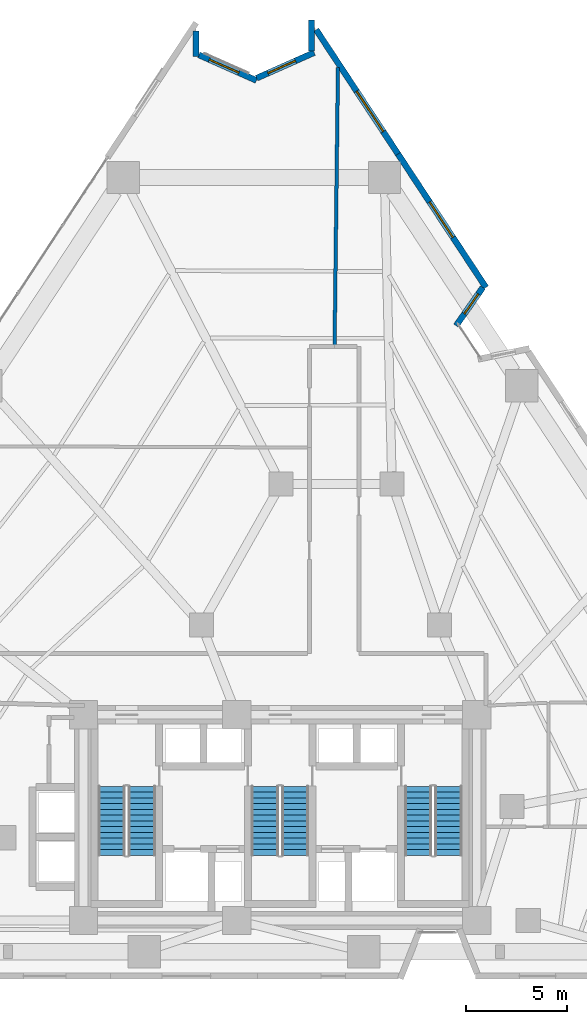
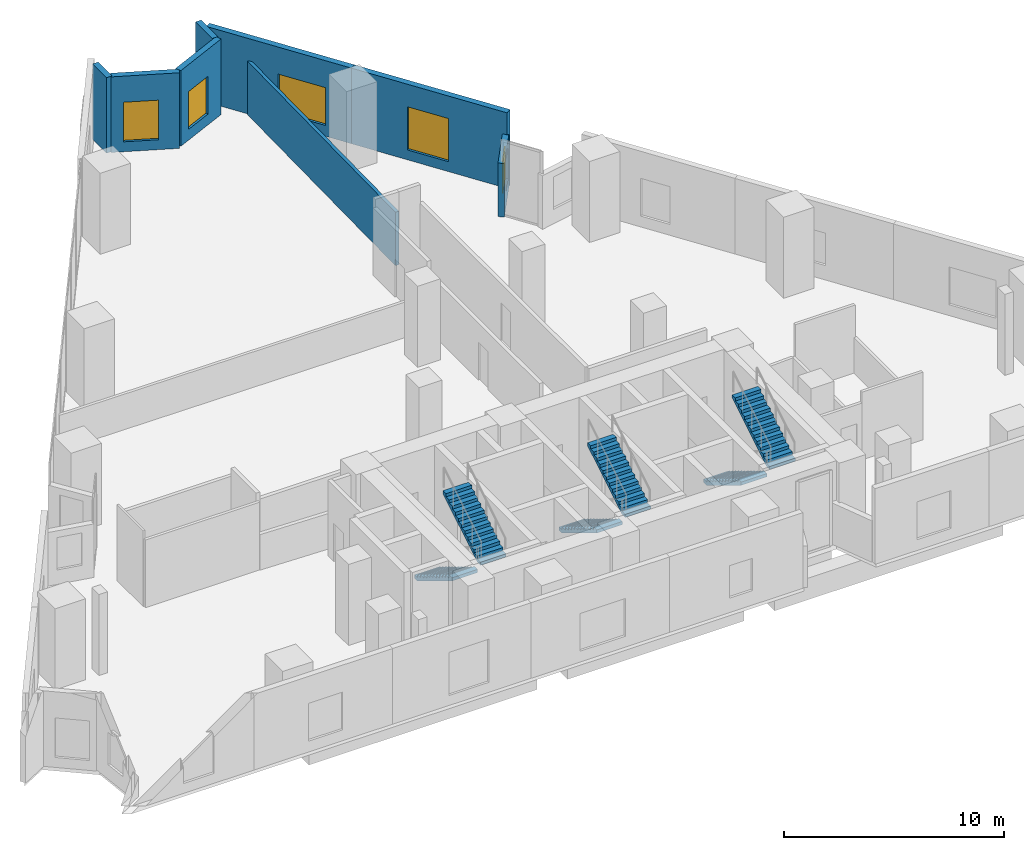
# One storey, part 9 of 11: 8 walls, 6 stair flights, 5 windows, 5 openings, 3 elements without a shape of their own.
"""IFC4 building model written with IfcOpenShell, lengths in metres."""

from ifc_helpers import new_model, si_unit, direction, frame, frame_2d, origin, place, context, subcontext, project, spatial, polyline, rectangle, outline, extrude, material, layer, layer_set, type_object, element, fill, aggregate, save


model = new_model("IFC4")

# Units and contexts
model_context = context("Model", 3, precision=1e-05, world=origin(), true_north=direction((0.0, 1.0)))
body_context = subcontext(model_context, "Body", "Model", "MODEL_VIEW")
ifc_project = project(units=[si_unit("LENGTHUNIT", "METRE"), si_unit("AREAUNIT", "SQUARE_METRE"), si_unit("VOLUMEUNIT", "CUBIC_METRE"), si_unit("PLANEANGLEUNIT", "RADIAN"), si_unit("MASSUNIT", "GRAM", prefix="KILO")], contexts=[model_context])

# Site, building, storey
site_placement = place(None, origin())
site = spatial("IfcSite", under=ifc_project, at=site_placement, CompositionType="ELEMENT")
building_placement = place(site_placement, origin())
building = spatial("IfcBuilding", under=site, at=building_placement, Name="Almagre Mirador Tower", CompositionType="ELEMENT")
storey_placement = place(building_placement, frame((0.0, 0.0, 21.89990234375)))
storey = spatial("IfcBuildingStorey", under=building, at=storey_placement, Name="L04", CompositionType="ELEMENT", Elevation=21.89990234375)

# Wall
ifc_material_1 = material(Name="Precast concrete C50/60", Category="concrete")
ifc_layer_1 = layer(ifc_material_1, 0.300048828125)
ifc_layer_set_1 = layer_set([ifc_layer_1], Name="Precast concrete C50/60")
wall_type_1 = type_object("IfcWallType", Name="WAL-EXT-300", PredefinedType="SOLIDWALL", material=ifc_layer_set_1)
wall_1_placement = place(storey_placement, frame((33.138916015625, 48.657958984375, 0.0), z_axis=(0.0, 0.0, 1.0), x_axis=(0.0, -1.0, 0.0)))
element("IfcWall", 1, at=wall_1_placement, inside=storey, type_object=wall_type_1, Name="L04 expressed almagre precast frame wall 04", PredefinedType="SOLIDWALL", context=body_context, shape_type="SweptSolid", body=[
    extrude(rectangle(XDim=1.27001953125, YDim=0.300048828125, at=frame_2d((0.635009765625, 0.0))), origin(), (0.0, 0.0, 1.0), 4.2001953125),
])

# Wall, opening, window
wall_2_placement = place(storey_placement, frame((33.26708984375, 47.47119140625, 0.0), z_axis=(0.0, 0.0, 1.0), x_axis=(0.913753658291, -0.40626869429, 0.0)))
wall_2 = element("IfcWall", 2, at=wall_2_placement, inside=storey, type_object=wall_type_1, Name="L04 expressed almagre precast frame wall 05", PredefinedType="SOLIDWALL", context=body_context, shape_type="SweptSolid", body=[
    extrude(rectangle(XDim=3.130859375, YDim=0.300048828125, at=frame_2d((1.5654296875, 0.0))), origin(), (0.0, 0.0, 1.0), 4.2001953125),
])
opening_1_placement = place(wall_2_placement, frame((0.570068359375, 0.0, 0.550048828125)))
opening_1 = element("IfcOpeningElement", 3, at=opening_1_placement, cuts=wall_2, Name="Opening WN-06", PredefinedType="OPENING", context=body_context, shape_type="SweptSolid", body=[
    extrude(rectangle(XDim=1.60009765625, YDim=2.199951171875, at=frame_2d((0.800048828125, 1.10009765625))), frame((0.0, 0.159902, 0.0), z_axis=(0.0, -1.0, 0.0), x_axis=(1.0, 0.0, 0.0)), (0.0, 0.0, 1.0), 0.320049),
])
ifc_material_2 = material(Name="Dark solar-control laminated hurricane glass", Category="glass")
window_type_1 = type_object("IfcWindowType", Name="WIN-1600X2200", PartitioningType="DOUBLE_PANEL_VERTICAL", PredefinedType="WINDOW", material=ifc_material_2)
window_1_placement = place(opening_1_placement, origin())
window_1 = element("IfcWindow", 4, at=window_1_placement, inside=storey, type_object=window_type_1, Name="L04 recessed hurricane window L04-GAL-8", OverallHeight=2.199951171875, OverallWidth=1.60009765625, PartitioningType="SINGLE_PANEL", PredefinedType="WINDOW", context=body_context, shape_type="SweptSolid", body=[
    extrude(rectangle(XDim=1.60009765625, YDim=2.199951171875, at=frame_2d((0.800048828125, 1.10009765625))), frame((0.0, 0.030029296875, 0.0), z_axis=(0.0, -1.0, 0.0), x_axis=(1.0, 0.0, 0.0)), (0.0, 0.0, 1.0), 0.06005859375),
])
fill(opening_1, window_1)

wall_3_placement = place(storey_placement, frame((36.13720703125, 46.31689453125, 0.0), z_axis=(0.0, 0.0, 1.0), x_axis=(0.913740568099, 0.406298134638, 0.0)))
wall_3 = element("IfcWall", 5, at=wall_3_placement, inside=storey, type_object=wall_type_1, Name="L04 expressed almagre precast frame wall 06", PredefinedType="SOLIDWALL", context=body_context, shape_type="SweptSolid", body=[
    extrude(rectangle(XDim=3.12109375, YDim=0.300048828125, at=frame_2d((1.560546875, 0.0))), origin(), (0.0, 0.0, 1.0), 4.2001953125),
])
opening_2_placement = place(wall_3_placement, frame((0.610107421875, 0.0, 0.60009765625)))
opening_2 = element("IfcOpeningElement", 6, at=opening_2_placement, cuts=wall_3, Name="Opening WN-03", PredefinedType="OPENING", context=body_context, shape_type="SweptSolid", body=[
    extrude(rectangle(XDim=1.5, YDim=2.10009765625, at=frame_2d((0.75, 1.050048828125))), frame((0.0, 0.159902, 0.0), z_axis=(0.0, -1.0, 0.0), x_axis=(1.0, 0.0, 0.0)), (0.0, 0.0, 1.0), 0.320049),
])
ifc_material_3 = material(Name="Dark solar-control laminated hurricane glass", Category="glass")
window_type_2 = type_object("IfcWindowType", Name="WIN-1500X2100", PartitioningType="DOUBLE_PANEL_VERTICAL", PredefinedType="WINDOW", material=ifc_material_3)
window_2_placement = place(opening_2_placement, origin())
window_2 = element("IfcWindow", 7, at=window_2_placement, inside=storey, type_object=window_type_2, Name="L04 recessed hurricane window L04-GAL-8", OverallHeight=2.10009765625, OverallWidth=1.5, PartitioningType="SINGLE_PANEL", PredefinedType="WINDOW", context=body_context, shape_type="SweptSolid", body=[
    extrude(rectangle(XDim=1.5, YDim=2.10009765625, at=frame_2d((0.75, 1.050048828125))), frame((0.0, 0.030029296875, 0.0), z_axis=(0.0, -1.0, 0.0), x_axis=(1.0, 0.0, 0.0)), (0.0, 0.0, 1.0), 0.06005859375),
])
fill(opening_2, window_2)

# Wall
wall_4_placement = place(storey_placement, frame((38.861083984375, 47.673095703125, 0.0), z_axis=(0.0, 0.0, 1.0), x_axis=(0.0, 1.0, 0.0)))
element("IfcWall", 8, at=wall_4_placement, inside=storey, type_object=wall_type_1, Name="L04 expressed almagre precast frame wall 07", PredefinedType="SOLIDWALL", context=body_context, shape_type="SweptSolid", body=[
    extrude(rectangle(XDim=1.52490234375, YDim=0.300048828125, at=frame_2d((0.762451171875, 0.0))), origin(), (0.0, 0.0, 1.0), 4.2001953125),
])

# Wall, opening, window
wall_5_placement = place(storey_placement, frame((39.086669921875, 48.715576171875, 0.0), z_axis=(0.0, 0.0, 1.0), x_axis=(0.55019380206, -0.835036993297, 0.0)))
wall_5 = element("IfcWall", 9, at=wall_5_placement, inside=storey, type_object=wall_type_1, Name="L04 expressed almagre precast frame wall 08", PredefinedType="SOLIDWALL", context=body_context, shape_type="SweptSolid", body=[
    extrude(rectangle(XDim=7.377197265625, YDim=0.300048828125, at=frame_2d((3.6884765625, 0.0))), origin(), (0.0, 0.0, 1.0), 4.2001953125),
])
opening_3_placement = place(wall_5_placement, frame((3.64990234375, 0.0, 0.60009765625)))
opening_3 = element("IfcOpeningElement", 10, at=opening_3_placement, cuts=wall_5, Name="Opening WN-02", PredefinedType="OPENING", context=body_context, shape_type="SweptSolid", body=[
    extrude(rectangle(XDim=2.39990234375, YDim=2.10009765625, at=frame_2d((1.199951171875, 1.050048828125))), frame((0.0, 0.159902, 0.0), z_axis=(0.0, -1.0, 0.0), x_axis=(1.0, 0.0, 0.0)), (0.0, 0.0, 1.0), 0.320049),
])
ifc_material_4 = material(Name="Dark solar-control laminated hurricane glass", Category="glass")
window_type_3 = type_object("IfcWindowType", Name="WIN-2400X2100", PartitioningType="TRIPLE_PANEL_VERTICAL", PredefinedType="WINDOW", material=ifc_material_4)
window_3_placement = place(opening_3_placement, origin())
window_3 = element("IfcWindow", 11, at=window_3_placement, inside=storey, type_object=window_type_3, Name="L04 recessed hurricane window L04-WSH-7", OverallHeight=2.10009765625, OverallWidth=2.39990234375, PartitioningType="SINGLE_PANEL", PredefinedType="WINDOW", context=body_context, shape_type="SweptSolid", body=[
    extrude(rectangle(XDim=2.39990234375, YDim=2.10009765625, at=frame_2d((1.199951171875, 1.050048828125))), frame((0.0, 0.030029296875, 0.0), z_axis=(0.0, -1.0, 0.0), x_axis=(1.0, 0.0, 0.0)), (0.0, 0.0, 1.0), 0.06005859375),
])
fill(opening_3, window_3)

wall_6_placement = place(storey_placement, frame((43.1455078125, 42.555419921875, 0.0), z_axis=(0.0, 0.0, 1.0), x_axis=(0.550207466479, -0.835027989849, 0.0)))
wall_6 = element("IfcWall", 12, at=wall_6_placement, inside=storey, type_object=wall_type_1, Name="L04 expressed almagre precast frame wall 09", PredefinedType="SOLIDWALL", context=body_context, shape_type="SweptSolid", body=[
    extrude(rectangle(XDim=7.92724609375, YDim=0.300048828125, at=frame_2d((3.963623046875, 0.0))), origin(), (0.0, 0.0, 1.0), 4.2001953125),
])
opening_4_placement = place(wall_6_placement, frame((2.85009765625, 0.0, 0.550048828125)))
opening_4 = element("IfcOpeningElement", 13, at=opening_4_placement, cuts=wall_6, Name="Opening WN-05", PredefinedType="OPENING", context=body_context, shape_type="SweptSolid", body=[
    extrude(rectangle(XDim=2.10009765625, YDim=2.39990234375, at=frame_2d((1.050048828125, 1.199951171875))), frame((0.0, 0.159902, 0.0), z_axis=(0.0, -1.0, 0.0), x_axis=(1.0, 0.0, 0.0)), (0.0, 0.0, 1.0), 0.320049),
])
ifc_material_5 = material(Name="Dark solar-control laminated hurricane glass", Category="glass")
window_type_4 = type_object("IfcWindowType", Name="WIN-2100X2400", PartitioningType="DOUBLE_PANEL_VERTICAL", PredefinedType="WINDOW", material=ifc_material_5)
window_4_placement = place(opening_4_placement, origin())
window_4 = element("IfcWindow", 14, at=window_4_placement, inside=storey, type_object=window_type_4, Name="L04 recessed hurricane window L04-WSH-7", OverallHeight=2.39990234375, OverallWidth=2.10009765625, PartitioningType="SINGLE_PANEL", PredefinedType="WINDOW", context=body_context, shape_type="SweptSolid", body=[
    extrude(rectangle(XDim=2.10009765625, YDim=2.39990234375, at=frame_2d((1.050048828125, 1.199951171875))), frame((0.0, 0.030029296875, 0.0), z_axis=(0.0, -1.0, 0.0), x_axis=(1.0, 0.0, 0.0)), (0.0, 0.0, 1.0), 0.06005859375),
])
fill(opening_4, window_4)

wall_7_placement = place(storey_placement, frame((47.349853515625, 35.938232421875, 0.0), z_axis=(0.0, 0.0, 1.0), x_axis=(-0.57261227679, -0.819826311159, 0.0)))
wall_7 = element("IfcWall", 15, at=wall_7_placement, inside=storey, type_object=wall_type_1, Name="L04 expressed almagre precast frame wall 10", PredefinedType="SOLIDWALL", context=body_context, shape_type="SweptSolid", body=[
    extrude(rectangle(XDim=2.31396484375, YDim=0.300048828125, at=frame_2d((1.156982421875, 0.0))), origin(), (0.0, 0.0, 1.0), 2.97509765625),
])
opening_5_placement = place(wall_7_placement, frame((0.39501953125, 0.0, 0.800048828125)))
opening_5 = element("IfcOpeningElement", 16, at=opening_5_placement, cuts=wall_7, Name="Opening WN-04", PredefinedType="OPENING", context=body_context, shape_type="SweptSolid", body=[
    extrude(rectangle(XDim=1.199951171875, YDim=1.800048828125, at=frame_2d((0.60009765625, 0.89990234375))), frame((0.0, 0.159902, 0.0), z_axis=(0.0, -1.0, 0.0), x_axis=(1.0, 0.0, 0.0)), (0.0, 0.0, 1.0), 0.320049),
])
ifc_material_6 = material(Name="Dark solar-control laminated hurricane glass", Category="glass")
window_type_5 = type_object("IfcWindowType", Name="WIN-1200X1800", PartitioningType="SINGLE_PANEL", PredefinedType="WINDOW", material=ifc_material_6)
window_5_placement = place(opening_5_placement, origin())
window_5 = element("IfcWindow", 17, at=window_5_placement, inside=storey, type_object=window_type_5, Name="L04 recessed hurricane window L04-WSH-7", OverallHeight=1.800048828125, OverallWidth=1.199951171875, PartitioningType="SINGLE_PANEL", PredefinedType="WINDOW", context=body_context, shape_type="SweptSolid", body=[
    extrude(rectangle(XDim=1.199951171875, YDim=1.800048828125, at=frame_2d((0.60009765625, 0.89990234375))), frame((0.0, 0.030029296875, 0.0), z_axis=(0.0, -1.0, 0.0), x_axis=(1.0, 0.0, 0.0)), (0.0, 0.0, 1.0), 0.06005859375),
])
fill(opening_5, window_5)

# Wall
ifc_material_7 = material(Name="Gypsum acoustic stud partition", Category="other")
ifc_layer_2 = layer(ifc_material_7, 0.175048828125)
ifc_layer_set_2 = layer_set([ifc_layer_2], Name="Gypsum acoustic stud partition")
wall_type_2 = type_object("IfcWallType", Name="WAL-PRT-175-AC", PredefinedType="PARTITIONING", material=ifc_layer_set_2)
wall_8_placement = place(storey_placement, frame((40.1669921875, 46.8369140625, 0.0), z_axis=(0.0, 0.0, 1.0), x_axis=(-0.012089018535, -0.999926925145, 0.0)))
element("IfcWall", 18, at=wall_8_placement, inside=storey, type_object=wall_type_2, Name="L04 interior partition 027", PredefinedType="PARTITIONING", context=body_context, shape_type="SweptSolid", body=[
    extrude(rectangle(XDim=13.7529296875, YDim=0.175048828125, at=frame_2d((6.87646484375, 0.0))), origin(), (0.0, 0.0, 1.0), 2.97021484375),
])

# Stair, stair flights
ifc_material_8 = material(Name="Concrete C45/55", Category="concrete")
stair_type = type_object("IfcStairType", Name="STR-DL-4500", PredefinedType="HALF_TURN_STAIR", material=ifc_material_8)
stair_1_placement = place(storey_placement, origin())
stair_1 = element("IfcStair", 19, at=stair_1_placement, inside=storey, type_object=stair_type, Name="L04 Protected exit stair ST-1", PredefinedType="HALF_TURN_STAIR")
ifc_material_9 = material(Name="Concrete C45/55", Category="concrete")
stair_flight_type = type_object("IfcStairFlightType", Name="FLT-DL-4500", PredefinedType="STRAIGHT", material=ifc_material_9)
stair_flight_1_placement = place(storey_placement, frame((28.949951171875, 11.199951171875, 0.0), z_axis=(0.0, 0.0, 1.0), x_axis=(0.0, -1.0, 0.0)))
stair_flight_1 = element("IfcStairFlight", 20, at=stair_flight_1_placement, type_object=stair_flight_type, Name="ST-1 flight 1", NumberOfRisers=13, NumberOfTreads=12, PredefinedType="STRAIGHT", RiserHeight=0.173076923, TreadLength=0.285, context=body_context, shape_type="SweptSolid", body=[
    extrude(outline(polyline([(0.0, 0.0), (0.0, 0.173095703125), (0.284912109375, 0.173095703125), (0.284912109375, 0.34619140625), (0.570068359375, 0.34619140625), (0.570068359375, 0.519287109375), (0.85498046875, 0.519287109375), (0.85498046875, 0.6923828125), (1.139892578125, 0.6923828125), (1.139892578125, 0.865478515625), (1.425048828125, 0.865478515625), (1.425048828125, 1.03857421875), (1.7099609375, 1.03857421875), (1.7099609375, 1.21142578125), (1.9951171875, 1.21142578125), (1.9951171875, 1.384521484375), (2.280029296875, 1.384521484375), (2.280029296875, 1.5576171875), (2.56494140625, 1.5576171875), (2.56494140625, 1.730712890625), (2.85009765625, 1.730712890625), (2.85009765625, 1.90380859375), (3.135009765625, 1.90380859375), (3.135009765625, 2.076904296875), (3.419921875, 2.076904296875), (3.419921875, 2.25), (3.419921875, 1.901611328125), (0.288818359375, 0.0), (0.0, 0.0)])), frame((0.0, 0.675048828125, 0.0), z_axis=(0.0, -1.0, 0.0), x_axis=(1.0, 0.0, 0.0)), (0.0, 0.0, 1.0), 1.35009765625),
])
stair_flight_2_placement = place(storey_placement, frame((30.449951171875, 7.780029296875, 2.25), z_axis=(0.0, 0.0, 1.0), x_axis=(0.0, 1.0, 0.0)))
stair_flight_2 = element("IfcStairFlight", 21, at=stair_flight_2_placement, type_object=stair_flight_type, Name="ST-1 flight 2", NumberOfRisers=13, NumberOfTreads=12, PredefinedType="STRAIGHT", RiserHeight=0.173076923, TreadLength=0.285, context=body_context, shape_type="SweptSolid", body=[
    extrude(outline(polyline([(0.0, 0.0), (0.0, 0.173095703125), (0.284912109375, 0.173095703125), (0.284912109375, 0.34619140625), (0.570068359375, 0.34619140625), (0.570068359375, 0.519287109375), (0.85498046875, 0.519287109375), (0.85498046875, 0.6923828125), (1.139892578125, 0.6923828125), (1.139892578125, 0.865478515625), (1.425048828125, 0.865478515625), (1.425048828125, 1.03857421875), (1.7099609375, 1.03857421875), (1.7099609375, 1.21142578125), (1.9951171875, 1.21142578125), (1.9951171875, 1.384521484375), (2.280029296875, 1.384521484375), (2.280029296875, 1.5576171875), (2.56494140625, 1.5576171875), (2.56494140625, 1.730712890625), (2.85009765625, 1.730712890625), (2.85009765625, 1.90380859375), (3.135009765625, 1.90380859375), (3.135009765625, 2.076904296875), (3.419921875, 2.076904296875), (3.419921875, 2.25), (3.419921875, 1.901611328125), (0.288818359375, 0.0), (0.0, 0.0)])), frame((0.0, 0.675048828125, 0.0), z_axis=(0.0, -1.0, 0.0), x_axis=(1.0, 0.0, 0.0)), (0.0, 0.0, 1.0), 1.35009765625),
])
aggregate(stair_1, [stair_flight_1, stair_flight_2])

stair_2_placement = place(storey_placement, origin())
stair_2 = element("IfcStair", 22, at=stair_2_placement, inside=storey, type_object=stair_type, Name="L04 Protected exit stair ST-2", PredefinedType="HALF_TURN_STAIR")
stair_flight_3_placement = place(storey_placement, frame((36.550048828125, 11.199951171875, 0.0), z_axis=(0.0, 0.0, 1.0), x_axis=(0.0, -1.0, 0.0)))
stair_flight_3 = element("IfcStairFlight", 23, at=stair_flight_3_placement, type_object=stair_flight_type, Name="ST-2 flight 1", NumberOfRisers=13, NumberOfTreads=12, PredefinedType="STRAIGHT", RiserHeight=0.173076923, TreadLength=0.285, context=body_context, shape_type="SweptSolid", body=[
    extrude(outline(polyline([(0.0, 0.0), (0.0, 0.173095703125), (0.284912109375, 0.173095703125), (0.284912109375, 0.34619140625), (0.570068359375, 0.34619140625), (0.570068359375, 0.519287109375), (0.85498046875, 0.519287109375), (0.85498046875, 0.6923828125), (1.139892578125, 0.6923828125), (1.139892578125, 0.865478515625), (1.425048828125, 0.865478515625), (1.425048828125, 1.03857421875), (1.7099609375, 1.03857421875), (1.7099609375, 1.21142578125), (1.9951171875, 1.21142578125), (1.9951171875, 1.384521484375), (2.280029296875, 1.384521484375), (2.280029296875, 1.5576171875), (2.56494140625, 1.5576171875), (2.56494140625, 1.730712890625), (2.85009765625, 1.730712890625), (2.85009765625, 1.90380859375), (3.135009765625, 1.90380859375), (3.135009765625, 2.076904296875), (3.419921875, 2.076904296875), (3.419921875, 2.25), (3.419921875, 1.901611328125), (0.288818359375, 0.0), (0.0, 0.0)])), frame((0.0, 0.675048828125, 0.0), z_axis=(0.0, -1.0, 0.0), x_axis=(1.0, 0.0, 0.0)), (0.0, 0.0, 1.0), 1.35009765625),
])
stair_flight_4_placement = place(storey_placement, frame((38.050048828125, 7.780029296875, 2.25), z_axis=(0.0, 0.0, 1.0), x_axis=(0.0, 1.0, 0.0)))
stair_flight_4 = element("IfcStairFlight", 24, at=stair_flight_4_placement, type_object=stair_flight_type, Name="ST-2 flight 2", NumberOfRisers=13, NumberOfTreads=12, PredefinedType="STRAIGHT", RiserHeight=0.173076923, TreadLength=0.285, context=body_context, shape_type="SweptSolid", body=[
    extrude(outline(polyline([(0.0, 0.0), (0.0, 0.173095703125), (0.284912109375, 0.173095703125), (0.284912109375, 0.34619140625), (0.570068359375, 0.34619140625), (0.570068359375, 0.519287109375), (0.85498046875, 0.519287109375), (0.85498046875, 0.6923828125), (1.139892578125, 0.6923828125), (1.139892578125, 0.865478515625), (1.425048828125, 0.865478515625), (1.425048828125, 1.03857421875), (1.7099609375, 1.03857421875), (1.7099609375, 1.21142578125), (1.9951171875, 1.21142578125), (1.9951171875, 1.384521484375), (2.280029296875, 1.384521484375), (2.280029296875, 1.5576171875), (2.56494140625, 1.5576171875), (2.56494140625, 1.730712890625), (2.85009765625, 1.730712890625), (2.85009765625, 1.90380859375), (3.135009765625, 1.90380859375), (3.135009765625, 2.076904296875), (3.419921875, 2.076904296875), (3.419921875, 2.25), (3.419921875, 1.901611328125), (0.288818359375, 0.0), (0.0, 0.0)])), frame((0.0, 0.675048828125, 0.0), z_axis=(0.0, -1.0, 0.0), x_axis=(1.0, 0.0, 0.0)), (0.0, 0.0, 1.0), 1.35009765625),
])
aggregate(stair_2, [stair_flight_3, stair_flight_4])

stair_3_placement = place(storey_placement, origin())
stair_3 = element("IfcStair", 25, at=stair_3_placement, inside=storey, type_object=stair_type, Name="L04 Protected exit stair ST-3", PredefinedType="HALF_TURN_STAIR")
stair_flight_5_placement = place(storey_placement, frame((44.14990234375, 11.199951171875, 0.0), z_axis=(0.0, 0.0, 1.0), x_axis=(0.0, -1.0, 0.0)))
stair_flight_5 = element("IfcStairFlight", 26, at=stair_flight_5_placement, type_object=stair_flight_type, Name="ST-3 flight 1", NumberOfRisers=13, NumberOfTreads=12, PredefinedType="STRAIGHT", RiserHeight=0.173076923, TreadLength=0.285, context=body_context, shape_type="SweptSolid", body=[
    extrude(outline(polyline([(0.0, 0.0), (0.0, 0.173095703125), (0.284912109375, 0.173095703125), (0.284912109375, 0.34619140625), (0.570068359375, 0.34619140625), (0.570068359375, 0.519287109375), (0.85498046875, 0.519287109375), (0.85498046875, 0.6923828125), (1.139892578125, 0.6923828125), (1.139892578125, 0.865478515625), (1.425048828125, 0.865478515625), (1.425048828125, 1.03857421875), (1.7099609375, 1.03857421875), (1.7099609375, 1.21142578125), (1.9951171875, 1.21142578125), (1.9951171875, 1.384521484375), (2.280029296875, 1.384521484375), (2.280029296875, 1.5576171875), (2.56494140625, 1.5576171875), (2.56494140625, 1.730712890625), (2.85009765625, 1.730712890625), (2.85009765625, 1.90380859375), (3.135009765625, 1.90380859375), (3.135009765625, 2.076904296875), (3.419921875, 2.076904296875), (3.419921875, 2.25), (3.419921875, 1.901611328125), (0.288818359375, 0.0), (0.0, 0.0)])), frame((0.0, 0.675048828125, 0.0), z_axis=(0.0, -1.0, 0.0), x_axis=(1.0, 0.0, 0.0)), (0.0, 0.0, 1.0), 1.35009765625),
])
stair_flight_6_placement = place(storey_placement, frame((45.64990234375, 7.780029296875, 2.25), z_axis=(0.0, 0.0, 1.0), x_axis=(0.0, 1.0, 0.0)))
stair_flight_6 = element("IfcStairFlight", 27, at=stair_flight_6_placement, type_object=stair_flight_type, Name="ST-3 flight 2", NumberOfRisers=13, NumberOfTreads=12, PredefinedType="STRAIGHT", RiserHeight=0.173076923, TreadLength=0.285, context=body_context, shape_type="SweptSolid", body=[
    extrude(outline(polyline([(0.0, 0.0), (0.0, 0.173095703125), (0.284912109375, 0.173095703125), (0.284912109375, 0.34619140625), (0.570068359375, 0.34619140625), (0.570068359375, 0.519287109375), (0.85498046875, 0.519287109375), (0.85498046875, 0.6923828125), (1.139892578125, 0.6923828125), (1.139892578125, 0.865478515625), (1.425048828125, 0.865478515625), (1.425048828125, 1.03857421875), (1.7099609375, 1.03857421875), (1.7099609375, 1.21142578125), (1.9951171875, 1.21142578125), (1.9951171875, 1.384521484375), (2.280029296875, 1.384521484375), (2.280029296875, 1.5576171875), (2.56494140625, 1.5576171875), (2.56494140625, 1.730712890625), (2.85009765625, 1.730712890625), (2.85009765625, 1.90380859375), (3.135009765625, 1.90380859375), (3.135009765625, 2.076904296875), (3.419921875, 2.076904296875), (3.419921875, 2.25), (3.419921875, 1.901611328125), (0.288818359375, 0.0), (0.0, 0.0)])), frame((0.0, 0.675048828125, 0.0), z_axis=(0.0, -1.0, 0.0), x_axis=(1.0, 0.0, 0.0)), (0.0, 0.0, 1.0), 1.35009765625),
])
aggregate(stair_3, [stair_flight_5, stair_flight_6])

save(model, "model.ifc")
